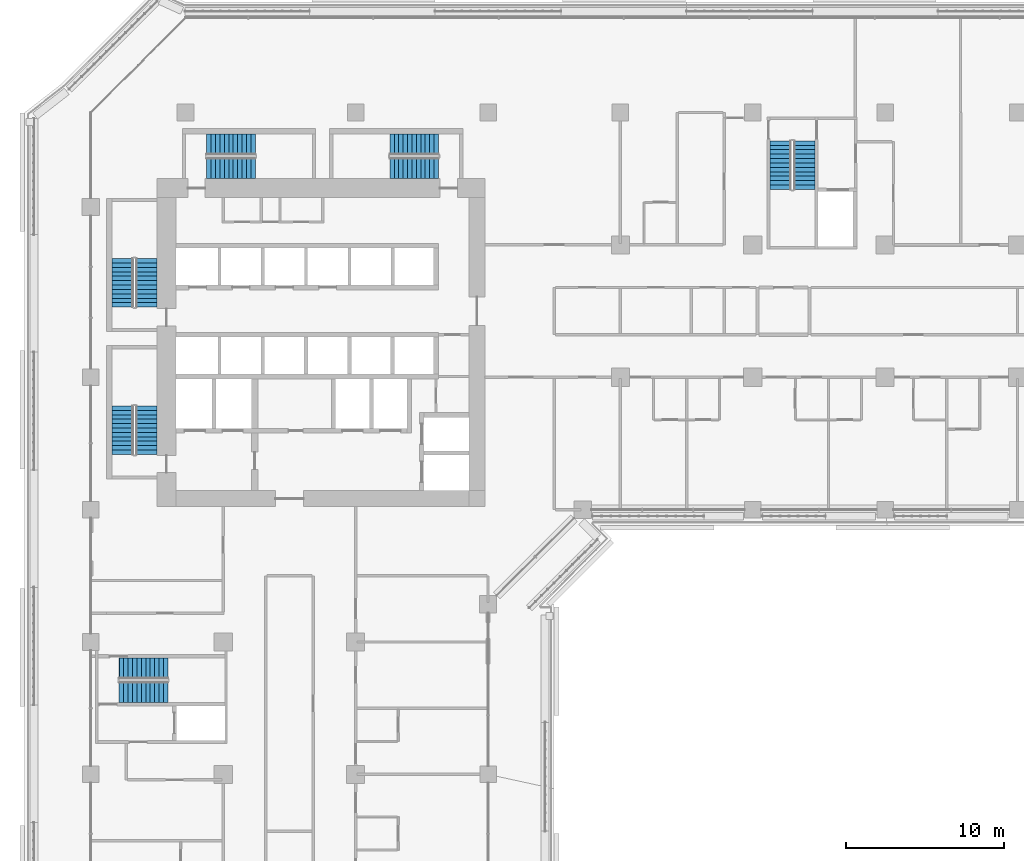
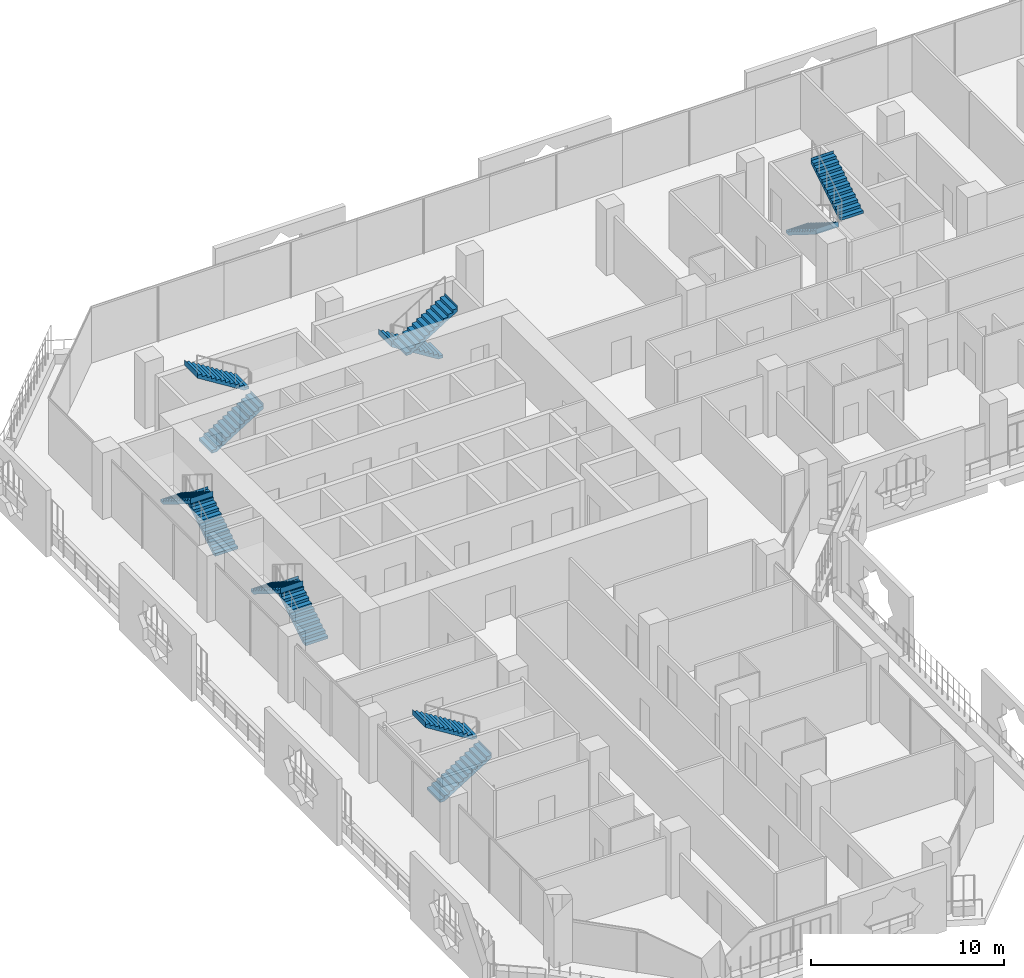
# One storey, part 18 of 26: 12 stair flights, 6 elements without a shape of their own.
"""IFC4 building model written with IfcOpenShell, lengths in metres."""

from ifc_helpers import new_model, si_unit, direction, frame, origin, place, context, subcontext, project, spatial, polyline, outline, extrude, material, type_object, element, aggregate, save


model = new_model("IFC4")

# Units and contexts
model_context = context("Model", 3, precision=1e-05, world=origin(), true_north=direction((0.0, 1.0)))
body_context = subcontext(model_context, "Body", "Model", "MODEL_VIEW")
ifc_project = project(units=[si_unit("LENGTHUNIT", "METRE"), si_unit("AREAUNIT", "SQUARE_METRE"), si_unit("VOLUMEUNIT", "CUBIC_METRE"), si_unit("PLANEANGLEUNIT", "RADIAN"), si_unit("MASSUNIT", "GRAM", prefix="KILO")], contexts=[model_context])

# Site, building, storey
site_placement = place(None, origin())
site = spatial("IfcSite", under=ifc_project, at=site_placement, CompositionType="ELEMENT")
building_placement = place(site_placement, origin())
building = spatial("IfcBuilding", under=site, at=building_placement, Name="Kawkab Arch Medical Tower", CompositionType="ELEMENT")
storey_placement = place(building_placement, frame((0.0, 0.0, 119.800048828125)))
storey = spatial("IfcBuildingStorey", under=building, at=storey_placement, Name="L27", CompositionType="ELEMENT", Elevation=119.800048828125)

# Stair, stair flights
ifc_material_1 = material(Name="Concrete C40/50", Category="concrete")
stair_type = type_object("IfcStairType", Name="Exit stair 1350", PredefinedType="HALF_TURN_STAIR", material=ifc_material_1)
placement = place(storey_placement, origin())
stair_1 = element("IfcStair", 1, at=placement, inside=storey, type_object=stair_type, Name="L27 Exit stair ST1", PredefinedType="HALF_TURN_STAIR")
ifc_material_2 = material(Name="Concrete C40/50", Category="concrete")
stair_flight_type = type_object("IfcStairFlightType", Name="Exit stair flight 1350", PredefinedType="STRAIGHT", material=ifc_material_2)
stair_flight_1_placement = place(storey_placement, frame((3.52490234375, -12.35009765625, 0.0), z_axis=(0.0, 0.0, 1.0), x_axis=(0.0, 1.0, 0.0)))
stair_flight_1 = element("IfcStairFlight", 2, at=stair_flight_1_placement, type_object=stair_flight_type, Name="ST1 flight 1", NumberOfRisers=12, NumberOfTreads=11, PredefinedType="STRAIGHT", RiserHeight=0.175, TreadLength=0.28, context=body_context, shape_type="SweptSolid", body=[
    extrude(outline(polyline([(-0.0029296875, 0.0), (-0.0029296875, 0.175048828125), (0.0, 0.175048828125), (0.280029296875, 0.175048828125), (0.280029296875, 0.35009765625), (0.56005859375, 0.35009765625), (0.56005859375, 0.52490234375), (0.840087890625, 0.52490234375), (0.840087890625, 0.699951171875), (1.1201171875, 0.699951171875), (1.1201171875, 0.875), (1.39990234375, 0.875), (1.39990234375, 1.050048828125), (1.679931640625, 1.050048828125), (1.679931640625, 1.22509765625), (1.9599609375, 1.22509765625), (1.9599609375, 1.39990234375), (2.239990234375, 1.39990234375), (2.239990234375, 1.574951171875), (2.52001953125, 1.574951171875), (2.52001953125, 1.75), (2.800048828125, 1.75), (2.800048828125, 1.925048828125), (3.080078125, 1.925048828125), (3.080078125, 2.10009765625), (3.0830078125, 2.10009765625), (3.0830078125, 1.748291015625), (3.080078125, 1.748291015625), (0.28271484375, 0.0), (-0.0029296875, 0.0)])), frame((0.0, 0.675048828125, 0.0), z_axis=(0.0, -1.0, 0.0), x_axis=(1.0, 0.0, 0.0)), (0.0, 0.0, 1.0), 1.35009765625),
])
stair_flight_2_placement = place(storey_placement, frame((2.02490234375, -9.27001953125, 2.099853515625), z_axis=(0.0, 0.0, 1.0), x_axis=(0.0, -1.0, 0.0)))
stair_flight_2 = element("IfcStairFlight", 3, at=stair_flight_2_placement, type_object=stair_flight_type, Name="ST1 flight 2", NumberOfRisers=12, NumberOfTreads=11, PredefinedType="STRAIGHT", RiserHeight=0.175, TreadLength=0.28, context=body_context, shape_type="SweptSolid", body=[
    extrude(outline(polyline([(-0.0029296875, 0.0), (-0.0029296875, 0.175048828125), (0.0, 0.175048828125), (0.280029296875, 0.175048828125), (0.280029296875, 0.35009765625), (0.56005859375, 0.35009765625), (0.56005859375, 0.52490234375), (0.840087890625, 0.52490234375), (0.840087890625, 0.699951171875), (1.1201171875, 0.699951171875), (1.1201171875, 0.875), (1.39990234375, 0.875), (1.39990234375, 1.050048828125), (1.679931640625, 1.050048828125), (1.679931640625, 1.22509765625), (1.9599609375, 1.22509765625), (1.9599609375, 1.39990234375), (2.239990234375, 1.39990234375), (2.239990234375, 1.574951171875), (2.52001953125, 1.574951171875), (2.52001953125, 1.75), (2.800048828125, 1.75), (2.800048828125, 1.925048828125), (3.080078125, 1.925048828125), (3.080078125, 2.10009765625), (3.0830078125, 2.10009765625), (3.0830078125, 1.748291015625), (3.080078125, 1.748291015625), (0.28271484375, 0.0), (-0.0029296875, 0.0)])), frame((0.0, 0.675048828125, 0.0), z_axis=(0.0, -1.0, 0.0), x_axis=(1.0, 0.0, 0.0)), (0.0, 0.0, 1.0), 1.35009765625),
])
aggregate(stair_1, [stair_flight_1, stair_flight_2])

stair_2 = element("IfcStair", 4, at=placement, inside=storey, type_object=stair_type, Name="L27 Exit stair ST2", PredefinedType="HALF_TURN_STAIR")
stair_flight_3_placement = place(storey_placement, frame((3.52490234375, -21.699951171875, 0.0), z_axis=(0.0, 0.0, 1.0), x_axis=(0.0, 1.0, 0.0)))
stair_flight_3 = element("IfcStairFlight", 5, at=stair_flight_3_placement, type_object=stair_flight_type, Name="ST2 flight 1", NumberOfRisers=12, NumberOfTreads=11, PredefinedType="STRAIGHT", RiserHeight=0.175, TreadLength=0.28, context=body_context, shape_type="SweptSolid", body=[
    extrude(outline(polyline([(-0.0029296875, 0.0), (-0.0029296875, 0.175048828125), (0.0, 0.175048828125), (0.280029296875, 0.175048828125), (0.280029296875, 0.35009765625), (0.56005859375, 0.35009765625), (0.56005859375, 0.52490234375), (0.840087890625, 0.52490234375), (0.840087890625, 0.699951171875), (1.1201171875, 0.699951171875), (1.1201171875, 0.875), (1.39990234375, 0.875), (1.39990234375, 1.050048828125), (1.679931640625, 1.050048828125), (1.679931640625, 1.22509765625), (1.9599609375, 1.22509765625), (1.9599609375, 1.39990234375), (2.239990234375, 1.39990234375), (2.239990234375, 1.574951171875), (2.52001953125, 1.574951171875), (2.52001953125, 1.75), (2.800048828125, 1.75), (2.800048828125, 1.925048828125), (3.080078125, 1.925048828125), (3.080078125, 2.10009765625), (3.0830078125, 2.10009765625), (3.0830078125, 1.748291015625), (3.080078125, 1.748291015625), (0.28271484375, 0.0), (-0.0029296875, 0.0)])), frame((0.0, 0.675048828125, 0.0), z_axis=(0.0, -1.0, 0.0), x_axis=(1.0, 0.0, 0.0)), (0.0, 0.0, 1.0), 1.35009765625),
])
stair_flight_4_placement = place(storey_placement, frame((2.02490234375, -18.6201171875, 2.099853515625), z_axis=(0.0, 0.0, 1.0), x_axis=(0.0, -1.0, 0.0)))
stair_flight_4 = element("IfcStairFlight", 6, at=stair_flight_4_placement, type_object=stair_flight_type, Name="ST2 flight 2", NumberOfRisers=12, NumberOfTreads=11, PredefinedType="STRAIGHT", RiserHeight=0.175, TreadLength=0.28, context=body_context, shape_type="SweptSolid", body=[
    extrude(outline(polyline([(-0.0029296875, 0.0), (-0.0029296875, 0.175048828125), (0.0, 0.175048828125), (0.280029296875, 0.175048828125), (0.280029296875, 0.35009765625), (0.56005859375, 0.35009765625), (0.56005859375, 0.52490234375), (0.840087890625, 0.52490234375), (0.840087890625, 0.699951171875), (1.1201171875, 0.699951171875), (1.1201171875, 0.875), (1.39990234375, 0.875), (1.39990234375, 1.050048828125), (1.679931640625, 1.050048828125), (1.679931640625, 1.22509765625), (1.9599609375, 1.22509765625), (1.9599609375, 1.39990234375), (2.239990234375, 1.39990234375), (2.239990234375, 1.574951171875), (2.52001953125, 1.574951171875), (2.52001953125, 1.75), (2.800048828125, 1.75), (2.800048828125, 1.925048828125), (3.080078125, 1.925048828125), (3.080078125, 2.10009765625), (3.0830078125, 2.10009765625), (3.0830078125, 1.748291015625), (3.080078125, 1.748291015625), (0.28271484375, 0.0), (-0.0029296875, 0.0)])), frame((0.0, 0.675048828125, 0.0), z_axis=(0.0, -1.0, 0.0), x_axis=(1.0, 0.0, 0.0)), (0.0, 0.0, 1.0), 1.35009765625),
])
aggregate(stair_2, [stair_flight_3, stair_flight_4])

stair_3 = element("IfcStair", 7, at=placement, inside=storey, type_object=stair_type, Name="L27 Exit stair ST3", PredefinedType="HALF_TURN_STAIR")
stair_flight_5_placement = place(storey_placement, frame((7.35009765625, -3.52490234375, 0.0), z_axis=(0.0, 0.0, 1.0), x_axis=(1.0, 0.0, 0.0)))
stair_flight_5 = element("IfcStairFlight", 8, at=stair_flight_5_placement, type_object=stair_flight_type, Name="ST3 flight 1", NumberOfRisers=12, NumberOfTreads=11, PredefinedType="STRAIGHT", RiserHeight=0.175, TreadLength=0.28, context=body_context, shape_type="SweptSolid", body=[
    extrude(outline(polyline([(-0.0029296875, 0.0), (-0.0029296875, 0.175048828125), (0.0, 0.175048828125), (0.280029296875, 0.175048828125), (0.280029296875, 0.35009765625), (0.56005859375, 0.35009765625), (0.56005859375, 0.52490234375), (0.840087890625, 0.52490234375), (0.840087890625, 0.699951171875), (1.1201171875, 0.699951171875), (1.1201171875, 0.875), (1.39990234375, 0.875), (1.39990234375, 1.050048828125), (1.679931640625, 1.050048828125), (1.679931640625, 1.22509765625), (1.9599609375, 1.22509765625), (1.9599609375, 1.39990234375), (2.239990234375, 1.39990234375), (2.239990234375, 1.574951171875), (2.52001953125, 1.574951171875), (2.52001953125, 1.75), (2.800048828125, 1.75), (2.800048828125, 1.925048828125), (3.080078125, 1.925048828125), (3.080078125, 2.10009765625), (3.0830078125, 2.10009765625), (3.0830078125, 1.748291015625), (3.080078125, 1.748291015625), (0.28271484375, 0.0), (-0.0029296875, 0.0)])), frame((0.0, 0.675048828125, 0.0), z_axis=(0.0, -1.0, 0.0), x_axis=(1.0, 0.0, 0.0)), (0.0, 0.0, 1.0), 1.35009765625),
])
stair_flight_6_placement = place(storey_placement, frame((10.429931640625, -2.02490234375, 2.099853515625), z_axis=(0.0, 0.0, 1.0), x_axis=(-1.0, 0.0, 0.0)))
stair_flight_6 = element("IfcStairFlight", 9, at=stair_flight_6_placement, type_object=stair_flight_type, Name="ST3 flight 2", NumberOfRisers=12, NumberOfTreads=11, PredefinedType="STRAIGHT", RiserHeight=0.175, TreadLength=0.28, context=body_context, shape_type="SweptSolid", body=[
    extrude(outline(polyline([(-0.0029296875, 0.0), (-0.0029296875, 0.175048828125), (0.0, 0.175048828125), (0.280029296875, 0.175048828125), (0.280029296875, 0.35009765625), (0.56005859375, 0.35009765625), (0.56005859375, 0.52490234375), (0.840087890625, 0.52490234375), (0.840087890625, 0.699951171875), (1.1201171875, 0.699951171875), (1.1201171875, 0.875), (1.39990234375, 0.875), (1.39990234375, 1.050048828125), (1.679931640625, 1.050048828125), (1.679931640625, 1.22509765625), (1.9599609375, 1.22509765625), (1.9599609375, 1.39990234375), (2.239990234375, 1.39990234375), (2.239990234375, 1.574951171875), (2.52001953125, 1.574951171875), (2.52001953125, 1.75), (2.800048828125, 1.75), (2.800048828125, 1.925048828125), (3.080078125, 1.925048828125), (3.080078125, 2.10009765625), (3.0830078125, 2.10009765625), (3.0830078125, 1.748291015625), (3.080078125, 1.748291015625), (0.28271484375, 0.0), (-0.0029296875, 0.0)])), frame((0.0, 0.675048828125, 0.0), z_axis=(0.0, -1.0, 0.0), x_axis=(1.0, 0.0, 0.0)), (0.0, 0.0, 1.0), 1.35009765625),
])
aggregate(stair_3, [stair_flight_5, stair_flight_6])

stair_4 = element("IfcStair", 10, at=placement, inside=storey, type_object=stair_type, Name="L27 Exit stair ST4", PredefinedType="HALF_TURN_STAIR")
stair_flight_7_placement = place(storey_placement, frame((22.050048828125, -2.02490234375, 0.0), z_axis=(0.0, 0.0, 1.0), x_axis=(-1.0, 0.0, 0.0)))
stair_flight_7 = element("IfcStairFlight", 11, at=stair_flight_7_placement, type_object=stair_flight_type, Name="ST4 flight 1", NumberOfRisers=12, NumberOfTreads=11, PredefinedType="STRAIGHT", RiserHeight=0.175, TreadLength=0.28, context=body_context, shape_type="SweptSolid", body=[
    extrude(outline(polyline([(-0.0029296875, 0.0), (-0.0029296875, 0.175048828125), (0.0, 0.175048828125), (0.280029296875, 0.175048828125), (0.280029296875, 0.35009765625), (0.56005859375, 0.35009765625), (0.56005859375, 0.52490234375), (0.840087890625, 0.52490234375), (0.840087890625, 0.699951171875), (1.1201171875, 0.699951171875), (1.1201171875, 0.875), (1.39990234375, 0.875), (1.39990234375, 1.050048828125), (1.679931640625, 1.050048828125), (1.679931640625, 1.22509765625), (1.9599609375, 1.22509765625), (1.9599609375, 1.39990234375), (2.239990234375, 1.39990234375), (2.239990234375, 1.574951171875), (2.52001953125, 1.574951171875), (2.52001953125, 1.75), (2.800048828125, 1.75), (2.800048828125, 1.925048828125), (3.080078125, 1.925048828125), (3.080078125, 2.10009765625), (3.0830078125, 2.10009765625), (3.0830078125, 1.748291015625), (3.080078125, 1.748291015625), (0.28271484375, 0.0), (-0.0029296875, 0.0)])), frame((0.0, 0.675048828125, 0.0), z_axis=(0.0, -1.0, 0.0), x_axis=(1.0, 0.0, 0.0)), (0.0, 0.0, 1.0), 1.35009765625),
])
stair_flight_8_placement = place(storey_placement, frame((18.969970703125, -3.52490234375, 2.099853515625), z_axis=(0.0, 0.0, 1.0), x_axis=(1.0, 0.0, 0.0)))
stair_flight_8 = element("IfcStairFlight", 12, at=stair_flight_8_placement, type_object=stair_flight_type, Name="ST4 flight 2", NumberOfRisers=12, NumberOfTreads=11, PredefinedType="STRAIGHT", RiserHeight=0.175, TreadLength=0.28, context=body_context, shape_type="SweptSolid", body=[
    extrude(outline(polyline([(-0.0029296875, 0.0), (-0.0029296875, 0.175048828125), (0.0, 0.175048828125), (0.280029296875, 0.175048828125), (0.280029296875, 0.35009765625), (0.56005859375, 0.35009765625), (0.56005859375, 0.52490234375), (0.840087890625, 0.52490234375), (0.840087890625, 0.699951171875), (1.1201171875, 0.699951171875), (1.1201171875, 0.875), (1.39990234375, 0.875), (1.39990234375, 1.050048828125), (1.679931640625, 1.050048828125), (1.679931640625, 1.22509765625), (1.9599609375, 1.22509765625), (1.9599609375, 1.39990234375), (2.239990234375, 1.39990234375), (2.239990234375, 1.574951171875), (2.52001953125, 1.574951171875), (2.52001953125, 1.75), (2.800048828125, 1.75), (2.800048828125, 1.925048828125), (3.080078125, 1.925048828125), (3.080078125, 2.10009765625), (3.0830078125, 2.10009765625), (3.0830078125, 1.748291015625), (3.080078125, 1.748291015625), (0.28271484375, 0.0), (-0.0029296875, 0.0)])), frame((0.0, 0.675048828125, 0.0), z_axis=(0.0, -1.0, 0.0), x_axis=(1.0, 0.0, 0.0)), (0.0, 0.0, 1.0), 1.35009765625),
])
aggregate(stair_4, [stair_flight_7, stair_flight_8])

stair_5 = element("IfcStair", 13, at=placement, inside=storey, type_object=stair_type, Name="L27 Exit stair ST5", PredefinedType="HALF_TURN_STAIR")
stair_flight_9_placement = place(storey_placement, frame((43.77490234375, -1.800048828125, 0.0), z_axis=(0.0, 0.0, 1.0), x_axis=(0.0, -1.0, 0.0)))
stair_flight_9 = element("IfcStairFlight", 14, at=stair_flight_9_placement, type_object=stair_flight_type, Name="ST5 flight 1", NumberOfRisers=12, NumberOfTreads=11, PredefinedType="STRAIGHT", RiserHeight=0.175, TreadLength=0.28, context=body_context, shape_type="SweptSolid", body=[
    extrude(outline(polyline([(-0.0029296875, 0.0), (-0.0029296875, 0.175048828125), (0.0, 0.175048828125), (0.280029296875, 0.175048828125), (0.280029296875, 0.35009765625), (0.56005859375, 0.35009765625), (0.56005859375, 0.52490234375), (0.840087890625, 0.52490234375), (0.840087890625, 0.699951171875), (1.1201171875, 0.699951171875), (1.1201171875, 0.875), (1.39990234375, 0.875), (1.39990234375, 1.050048828125), (1.679931640625, 1.050048828125), (1.679931640625, 1.22509765625), (1.9599609375, 1.22509765625), (1.9599609375, 1.39990234375), (2.239990234375, 1.39990234375), (2.239990234375, 1.574951171875), (2.52001953125, 1.574951171875), (2.52001953125, 1.75), (2.800048828125, 1.75), (2.800048828125, 1.925048828125), (3.080078125, 1.925048828125), (3.080078125, 2.10009765625), (3.0830078125, 2.10009765625), (3.0830078125, 1.748291015625), (3.080078125, 1.748291015625), (0.28271484375, 0.0), (-0.0029296875, 0.0)])), frame((0.0, 0.675048828125, 0.0), z_axis=(0.0, -1.0, 0.0), x_axis=(1.0, 0.0, 0.0)), (0.0, 0.0, 1.0), 1.35009765625),
])
stair_flight_10_placement = place(storey_placement, frame((45.27490234375, -4.8798828125, 2.099853515625), z_axis=(0.0, 0.0, 1.0), x_axis=(0.0, 1.0, 0.0)))
stair_flight_10 = element("IfcStairFlight", 15, at=stair_flight_10_placement, type_object=stair_flight_type, Name="ST5 flight 2", NumberOfRisers=12, NumberOfTreads=11, PredefinedType="STRAIGHT", RiserHeight=0.175, TreadLength=0.28, context=body_context, shape_type="SweptSolid", body=[
    extrude(outline(polyline([(-0.0029296875, 0.0), (-0.0029296875, 0.175048828125), (0.0, 0.175048828125), (0.280029296875, 0.175048828125), (0.280029296875, 0.35009765625), (0.56005859375, 0.35009765625), (0.56005859375, 0.52490234375), (0.840087890625, 0.52490234375), (0.840087890625, 0.699951171875), (1.1201171875, 0.699951171875), (1.1201171875, 0.875), (1.39990234375, 0.875), (1.39990234375, 1.050048828125), (1.679931640625, 1.050048828125), (1.679931640625, 1.22509765625), (1.9599609375, 1.22509765625), (1.9599609375, 1.39990234375), (2.239990234375, 1.39990234375), (2.239990234375, 1.574951171875), (2.52001953125, 1.574951171875), (2.52001953125, 1.75), (2.800048828125, 1.75), (2.800048828125, 1.925048828125), (3.080078125, 1.925048828125), (3.080078125, 2.10009765625), (3.0830078125, 2.10009765625), (3.0830078125, 1.748291015625), (3.080078125, 1.748291015625), (0.28271484375, 0.0), (-0.0029296875, 0.0)])), frame((0.0, 0.675048828125, 0.0), z_axis=(0.0, -1.0, 0.0), x_axis=(1.0, 0.0, 0.0)), (0.0, 0.0, 1.0), 1.35009765625),
])
aggregate(stair_5, [stair_flight_9, stair_flight_10])

stair_6 = element("IfcStair", 16, at=placement, inside=storey, type_object=stair_type, Name="L27 Exit stair ST6", PredefinedType="HALF_TURN_STAIR")
stair_flight_11_placement = place(storey_placement, frame((1.800048828125, -36.77490234375, 0.0), z_axis=(0.0, 0.0, 1.0), x_axis=(1.0, 0.0, 0.0)))
stair_flight_11 = element("IfcStairFlight", 17, at=stair_flight_11_placement, type_object=stair_flight_type, Name="ST6 flight 1", NumberOfRisers=12, NumberOfTreads=11, PredefinedType="STRAIGHT", RiserHeight=0.175, TreadLength=0.28, context=body_context, shape_type="SweptSolid", body=[
    extrude(outline(polyline([(-0.0029296875, 0.0), (-0.0029296875, 0.175048828125), (0.0, 0.175048828125), (0.280029296875, 0.175048828125), (0.280029296875, 0.35009765625), (0.56005859375, 0.35009765625), (0.56005859375, 0.52490234375), (0.840087890625, 0.52490234375), (0.840087890625, 0.699951171875), (1.1201171875, 0.699951171875), (1.1201171875, 0.875), (1.39990234375, 0.875), (1.39990234375, 1.050048828125), (1.679931640625, 1.050048828125), (1.679931640625, 1.22509765625), (1.9599609375, 1.22509765625), (1.9599609375, 1.39990234375), (2.239990234375, 1.39990234375), (2.239990234375, 1.574951171875), (2.52001953125, 1.574951171875), (2.52001953125, 1.75), (2.800048828125, 1.75), (2.800048828125, 1.925048828125), (3.080078125, 1.925048828125), (3.080078125, 2.10009765625), (3.0830078125, 2.10009765625), (3.0830078125, 1.748291015625), (3.080078125, 1.748291015625), (0.28271484375, 0.0), (-0.0029296875, 0.0)])), frame((0.0, 0.675048828125, 0.0), z_axis=(0.0, -1.0, 0.0), x_axis=(1.0, 0.0, 0.0)), (0.0, 0.0, 1.0), 1.35009765625),
])
stair_flight_12_placement = place(storey_placement, frame((4.8798828125, -35.27490234375, 2.099853515625), z_axis=(0.0, 0.0, 1.0), x_axis=(-1.0, 0.0, 0.0)))
stair_flight_12 = element("IfcStairFlight", 18, at=stair_flight_12_placement, type_object=stair_flight_type, Name="ST6 flight 2", NumberOfRisers=12, NumberOfTreads=11, PredefinedType="STRAIGHT", RiserHeight=0.175, TreadLength=0.28, context=body_context, shape_type="SweptSolid", body=[
    extrude(outline(polyline([(-0.0029296875, 0.0), (-0.0029296875, 0.175048828125), (0.0, 0.175048828125), (0.280029296875, 0.175048828125), (0.280029296875, 0.35009765625), (0.56005859375, 0.35009765625), (0.56005859375, 0.52490234375), (0.840087890625, 0.52490234375), (0.840087890625, 0.699951171875), (1.1201171875, 0.699951171875), (1.1201171875, 0.875), (1.39990234375, 0.875), (1.39990234375, 1.050048828125), (1.679931640625, 1.050048828125), (1.679931640625, 1.22509765625), (1.9599609375, 1.22509765625), (1.9599609375, 1.39990234375), (2.239990234375, 1.39990234375), (2.239990234375, 1.574951171875), (2.52001953125, 1.574951171875), (2.52001953125, 1.75), (2.800048828125, 1.75), (2.800048828125, 1.925048828125), (3.080078125, 1.925048828125), (3.080078125, 2.10009765625), (3.0830078125, 2.10009765625), (3.0830078125, 1.748291015625), (3.080078125, 1.748291015625), (0.28271484375, 0.0), (-0.0029296875, 0.0)])), frame((0.0, 0.675048828125, 0.0), z_axis=(0.0, -1.0, 0.0), x_axis=(1.0, 0.0, 0.0)), (0.0, 0.0, 1.0), 1.35009765625),
])
aggregate(stair_6, [stair_flight_11, stair_flight_12])

save(model, "model.ifc")
